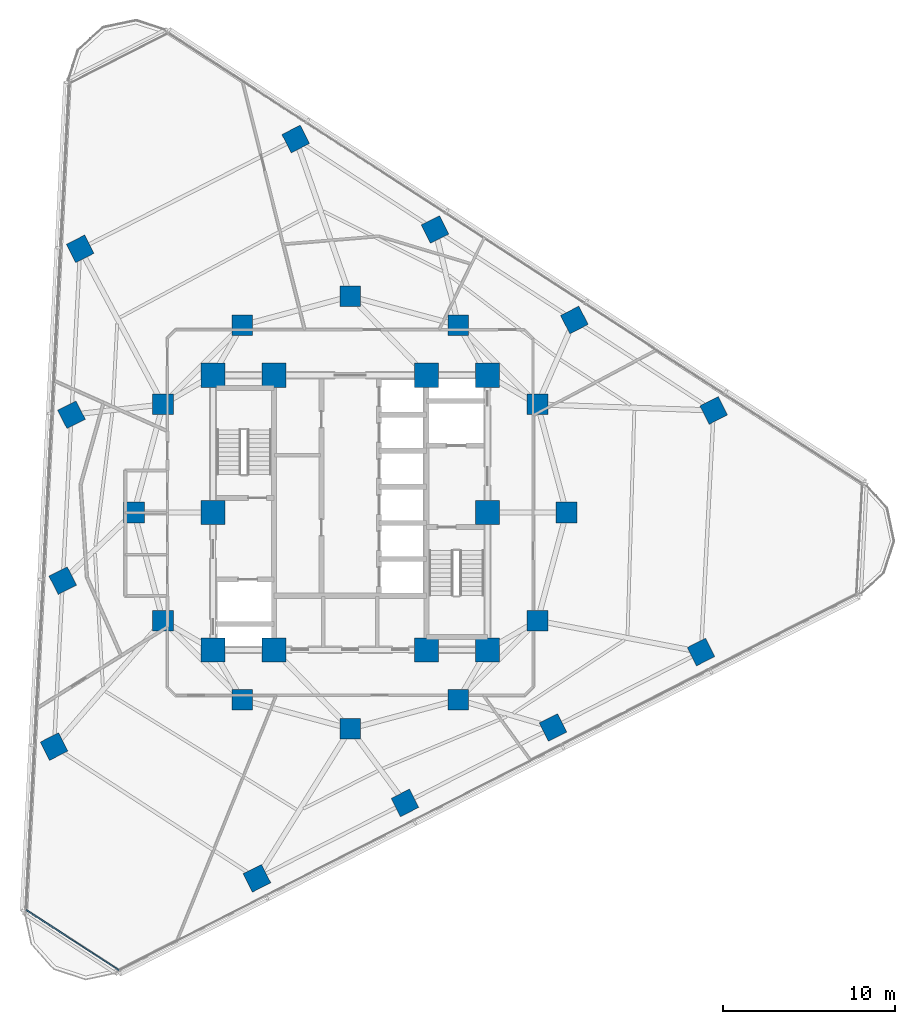
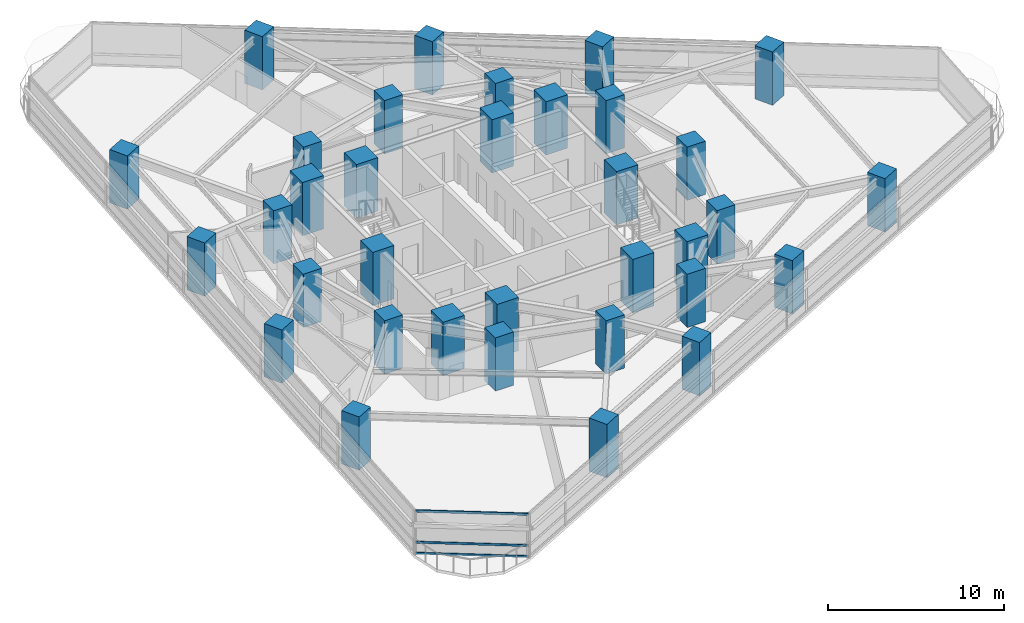
# One storey, part 1 of 14: 34 columns, 3 members, 1 element without a shape of its own.
"""IFC4 building model written with IfcOpenShell, lengths in metres."""

from ifc_helpers import new_model, si_unit, direction, frame, origin, origin_2d, place, context, subcontext, project, spatial, rectangle, extrude, material, layer, layer_set, material_profile, profile_set, type_object, element, aggregate, save


model = new_model("IFC4")

# Units and contexts
model_context = context("Model", 3, precision=1e-05, world=origin(), true_north=direction((0.0, 1.0)))
body_context = subcontext(model_context, "Body", "Model", "MODEL_VIEW")
ifc_project = project(units=[si_unit("LENGTHUNIT", "METRE"), si_unit("AREAUNIT", "SQUARE_METRE"), si_unit("VOLUMEUNIT", "CUBIC_METRE"), si_unit("PLANEANGLEUNIT", "RADIAN"), si_unit("MASSUNIT", "GRAM", prefix="KILO")], contexts=[model_context])

# Site, building, storey
site_placement = place(None, origin())
site = spatial("IfcSite", under=ifc_project, at=site_placement, CompositionType="ELEMENT")
building_placement = place(site_placement, origin())
building = spatial("IfcBuilding", under=site, at=building_placement, Name="Terralouvre Media Tower", CompositionType="ELEMENT")
storey_placement = place(building_placement, frame((0.0, 0.0, 134.699951171875)))
storey = spatial("IfcBuildingStorey", under=building, at=storey_placement, Name="L34", CompositionType="ELEMENT", Elevation=134.699951171875)

# Columns
ifc_material_1 = material(Name="Concrete C60/75", Category="concrete")
ifc_material_profile_1 = material_profile(ifc_material_1, rectangle(XDim=1.199951171875, YDim=1.199951171875, at=origin_2d()), Name="RC 1200x1200")
ifc_profile_set_1 = profile_set([ifc_material_profile_1], Name="Concrete C60/75")
column_type_1 = type_object("IfcColumnType", Name="Structural Column C-RC1200 (RC 1200x1200)", PredefinedType="COLUMN", material=ifc_profile_set_1)
for number, where, z_axis, x_axis, name in (
    (1, (12.60009765625, 0.0, 0.0), (0.0, 0.0, 1.0), (1.0, 0.0, 0.0), "L34 Mega-Frame Column MC01"),
    (2, (10.911865234375, 6.300048828125, 0.0), (0.0, 0.0, 1.0), (1.0, 0.0, 0.0), "L34 Mega-Frame Column MC02"),
    (3, (6.300048828125, 10.911865234375, 0.0), (0.0, 0.0, 1.0), (1.0, 0.0, 0.0), "L34 Mega-Frame Column MC03"),
    (4, (0.0, 12.60009765625, 0.0), (0.0, 0.0, 1.0), (1.0, 0.0, 0.0), "L34 Mega-Frame Column MC04"),
    (5, (-6.300048828125, 10.911865234375, 0.0), (0.0, 0.0, 1.0), (1.0, 0.0, 0.0), "L34 Mega-Frame Column MC05"),
    (6, (-10.911865234375, 6.300048828125, 0.0), (0.0, 0.0, 1.0), (1.0, 0.0, 0.0), "L34 Mega-Frame Column MC06"),
    (7, (-12.60009765625, 0.0, 0.0), (0.0, 0.0, 1.0), (1.0, 0.0, 0.0), "L34 Mega-Frame Column MC07"),
    (8, (-10.911865234375, -6.300048828125, 0.0), (0.0, 0.0, 1.0), (1.0, 0.0, 0.0), "L34 Mega-Frame Column MC08"),
    (9, (-6.300048828125, -10.911865234375, 0.0), (0.0, 0.0, 1.0), (1.0, 0.0, 0.0), "L34 Mega-Frame Column MC09"),
    (10, (0.0, -12.60009765625, 0.0), (0.0, 0.0, 1.0), (1.0, 0.0, 0.0), "L34 Mega-Frame Column MC10"),
    (11, (6.300048828125, -10.911865234375, 0.0), (0.0, 0.0, 1.0), (1.0, 0.0, 0.0), "L34 Mega-Frame Column MC11"),
    (12, (10.911865234375, -6.300048828125, 0.0), (0.0, 0.0, 1.0), (1.0, 0.0, 0.0), "L34 Mega-Frame Column MC12"),
    (13, (-5.4365234375, -21.31298828125, 0.0), (0.0, 0.0, 1.0), (0.891006524188, 0.45399049974, 0.0), "L34 Perimeter Mega-Column PC11"),
    (14, (3.188232421875, -16.91845703125, 0.0), (0.0, 0.0, 1.0), (0.891006524188, 0.45399049974, 0.0), "L34 Perimeter Mega-Column PC12"),
    (15, (11.813232421875, -12.523681640625, 0.0), (0.0, 0.0, 1.0), (0.891006524188, 0.45399049974, 0.0), "L34 Perimeter Mega-Column PC13"),
    (16, (20.438232421875, -8.129150390625, 0.0), (0.0, 0.0, 1.0), (0.891006524188, 0.45399049974, 0.0), "L34 Perimeter Mega-Column PC14"),
    (17, (21.176025390625, 5.9482421875, 0.0), (0.0, 0.0, 1.0), (0.891006524188, 0.45399049974, 0.0), "L34 Perimeter Mega-Column PC21"),
    (18, (13.0576171875, 11.220458984375, 0.0), (0.0, 0.0, 1.0), (0.891006524188, 0.45399049974, 0.0), "L34 Perimeter Mega-Column PC22"),
    (19, (4.939208984375, 16.492431640625, 0.0), (0.0, 0.0, 1.0), (0.891006524188, 0.45399049974, 0.0), "L34 Perimeter Mega-Column PC23"),
    (20, (-3.178955078125, 21.7646484375, 0.0), (0.0, 0.0, 1.0), (0.891006524188, 0.45399049974, 0.0), "L34 Perimeter Mega-Column PC24"),
    (21, (-15.7392578125, 15.36474609375, 0.0), (0.0, 0.0, 1.0), (0.891006524188, 0.45399049974, 0.0), "L34 Perimeter Mega-Column PC31"),
    (22, (-16.245849609375, 5.697998046875, 0.0), (0.0, 0.0, 1.0), (0.891006524188, 0.45399049974, 0.0), "L34 Perimeter Mega-Column PC32"),
    (23, (-16.75244140625, -3.96875, 0.0), (0.0, 0.0, 1.0), (0.891006524188, 0.45399049974, 0.0), "L34 Perimeter Mega-Column PC33"),
    (24, (-17.259033203125, -13.635498046875, 0.0), (0.0, 0.0, 1.0), (0.891006524188, 0.45399049974, 0.0), "L34 Perimeter Mega-Column PC34"),
):
    element("IfcColumn", number, at=place(storey_placement, frame(where, z_axis=z_axis, x_axis=x_axis)), inside=storey, type_object=column_type_1, Name=name, PredefinedType="COLUMN", context=body_context, shape_type="SweptSolid", body=[
        extrude(rectangle(XDim=1.199951171875, YDim=1.199951171875, at=origin_2d()), origin(), (0.0, 0.0, 1.0), 3.699951171875),
    ])
ifc_material_2 = material(Name="Concrete C60/75", Category="concrete")
ifc_material_profile_2 = material_profile(ifc_material_2, rectangle(XDim=1.39990234375, YDim=1.39990234375, at=origin_2d()), Name="RC 1400x1400")
ifc_profile_set_2 = profile_set([ifc_material_profile_2], Name="Concrete C60/75")
column_type_2 = type_object("IfcColumnType", Name="Structural Column C-RC1400 (RC 1400x1400)", PredefinedType="COLUMN", material=ifc_profile_set_2)
for number, where, z_axis, x_axis, name in (
    (25, (-8.0, -8.0, 0.0), (0.0, 0.0, 1.0), (1.0, 0.0, 0.0), "L34 Core Pilaster Column CP1"),
    (26, (-4.449951171875, -8.0, 0.0), (0.0, 0.0, 1.0), (1.0, 0.0, 0.0), "L34 Core Pilaster Column CP2"),
    (27, (4.449951171875, -8.0, 0.0), (0.0, 0.0, 1.0), (1.0, 0.0, 0.0), "L34 Core Pilaster Column CP10"),
    (28, (8.0, -8.0, 0.0), (0.0, 0.0, 1.0), (1.0, 0.0, 0.0), "L34 Core Pilaster Column CP3"),
    (29, (8.0, 0.0, 0.0), (0.0, 0.0, 1.0), (1.0, 0.0, 0.0), "L34 Core Pilaster Column CP4"),
    (30, (8.0, 8.0, 0.0), (0.0, 0.0, 1.0), (1.0, 0.0, 0.0), "L34 Core Pilaster Column CP5"),
    (31, (4.449951171875, 8.0, 0.0), (0.0, 0.0, 1.0), (1.0, 0.0, 0.0), "L34 Core Pilaster Column CP9"),
    (32, (-4.449951171875, 8.0, 0.0), (0.0, 0.0, 1.0), (1.0, 0.0, 0.0), "L34 Core Pilaster Column CP6"),
    (33, (-8.0, 8.0, 0.0), (0.0, 0.0, 1.0), (1.0, 0.0, 0.0), "L34 Core Pilaster Column CP7"),
    (34, (-8.0, 0.0, 0.0), (0.0, 0.0, 1.0), (1.0, 0.0, 0.0), "L34 Core Pilaster Column CP8"),
):
    element("IfcColumn", number, at=place(storey_placement, frame(where, z_axis=z_axis, x_axis=x_axis)), inside=storey, type_object=column_type_2, Name=name, PredefinedType="COLUMN", context=body_context, shape_type="SweptSolid", body=[
        extrude(rectangle(XDim=1.39990234375, YDim=1.39990234375, at=origin_2d()), origin(), (0.0, 0.0, 1.0), 3.699951171875),
    ])

# Curtain wall, members
ifc_material_3 = material(Name="Low-iron laminated double glazing with solar-control coating", Category="glass")
ifc_layer = layer(ifc_material_3, 0.1650390625, Name="Rounded Wind-Corner Curved Glazing CW-04")
ifc_layer_set = layer_set([ifc_layer], Name="Low-iron laminated double glazing with solar-control coating")
curtain_wall_type = type_object("IfcCurtainWallType", Name="Rounded Wind-Corner Curved Glazing CW-04", PredefinedType="NOTDEFINED", material=ifc_layer_set)
curtain_wall_placement = place(storey_placement, origin())
curtain_wall = element("IfcCurtainWall", 35, at=curtain_wall_placement, inside=storey, type_object=curtain_wall_type, Name="L34 Rounded Wind-Corner Curtain Wall C0", PredefinedType="NOTDEFINED")
ifc_material_4 = material(Name="Anodised extruded aluminium 6063-T6", Category="aluminium")
ifc_material_profile_3 = material_profile(ifc_material_4, rectangle(XDim=0.074951171875, YDim=0.14990234375, at=origin_2d()), Name="ALU 75x150")
ifc_profile_set_3 = profile_set([ifc_material_profile_3], Name="Anodised extruded aluminium 6063-T6")
member_type = type_object("IfcMemberType", Name="Curtain-Wall Horizontal Transom TR-150", PredefinedType="USERDEFINED", material=ifc_profile_set_3)
member_1_placement = place(storey_placement, frame((-18.875, -23.16015625, 0.03759765625), z_axis=(0.838682024338, -0.544621393311, 0.0), x_axis=(0.544621393311, 0.838682024338, 0.0)))
member_1 = element("IfcMember", 36, at=member_1_placement, type_object=member_type, Name="CW-04 transom 1.1", ObjectType="TRANSOM", PredefinedType="USERDEFINED", context=body_context, shape_type="SweptSolid", body=[
    extrude(rectangle(XDim=0.074951171875, YDim=0.14990234375, at=origin_2d()), origin(), (0.0, 0.0, 1.0), 6.431884765625),
])
member_2_placement = place(storey_placement, frame((-18.875, -23.16015625, 0.800048828125), z_axis=(0.838682024338, -0.544621393311, 0.0), x_axis=(0.544621393311, 0.838682024338, 0.0)))
member_2 = element("IfcMember", 37, at=member_2_placement, type_object=member_type, Name="CW-04 transom 1.2", ObjectType="TRANSOM", PredefinedType="USERDEFINED", context=body_context, shape_type="SweptSolid", body=[
    extrude(rectangle(XDim=0.074951171875, YDim=0.14990234375, at=origin_2d()), origin(), (0.0, 0.0, 1.0), 6.431884765625),
])
member_3_placement = place(storey_placement, frame((-18.875, -23.16015625, 2.962646484375), z_axis=(0.838682024338, -0.544621393311, 0.0), x_axis=(0.544621393311, 0.838682024338, 0.0)))
member_3 = element("IfcMember", 38, at=member_3_placement, type_object=member_type, Name="CW-04 transom 1.3", ObjectType="TRANSOM", PredefinedType="USERDEFINED", context=body_context, shape_type="SweptSolid", body=[
    extrude(rectangle(XDim=0.074951171875, YDim=0.14990234375, at=origin_2d()), origin(), (0.0, 0.0, 1.0), 6.431884765625),
])
aggregate(curtain_wall, [member_1, member_2, member_3])

save(model, "model.ifc")
